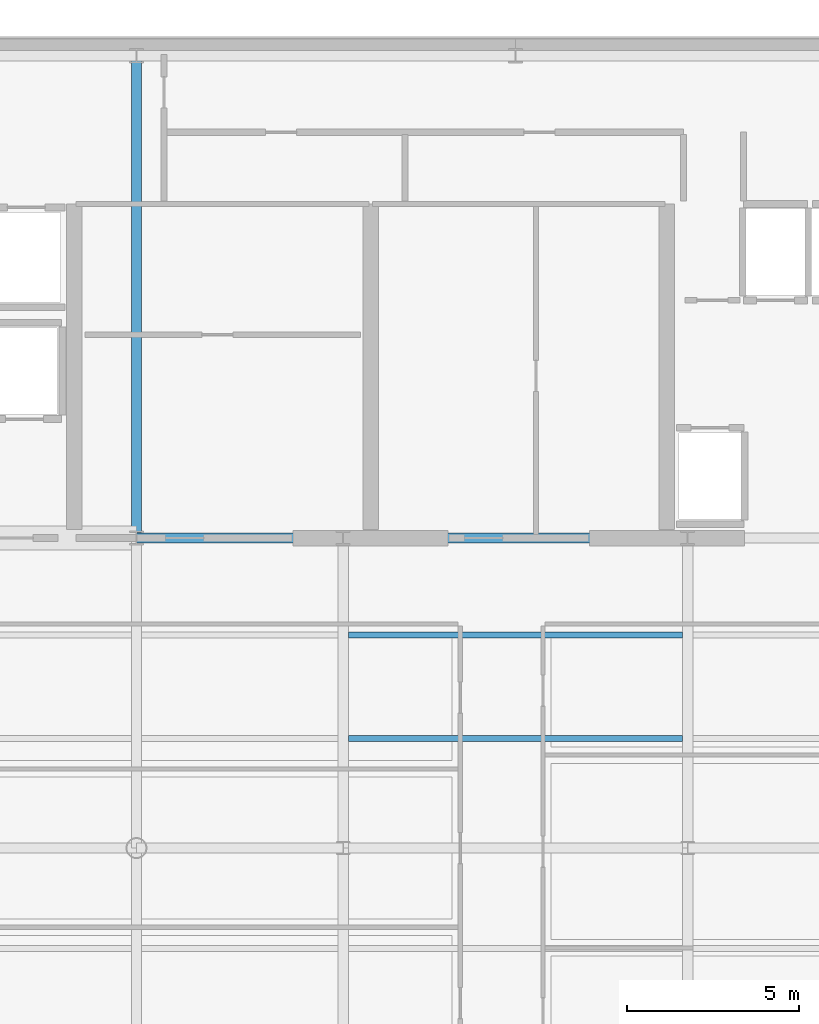
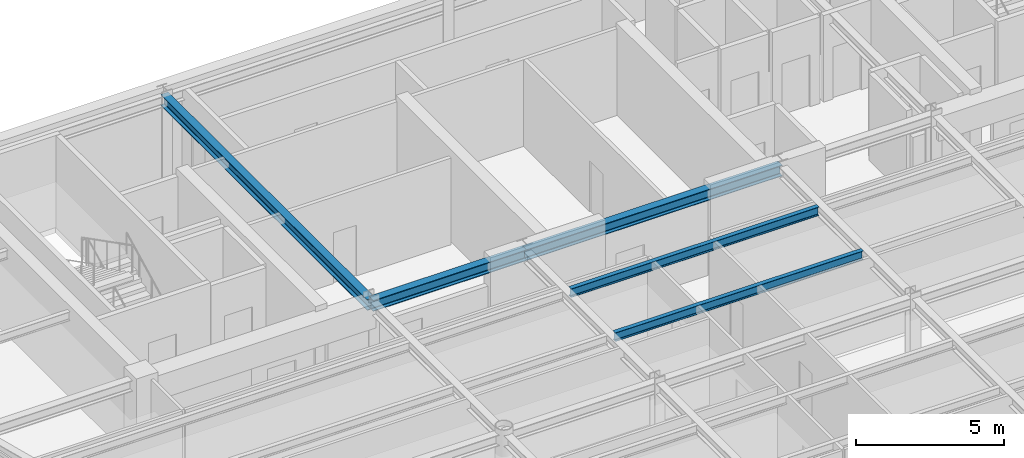
# One storey, part 5 of 20: 5 beams.
"""IFC4 building model written with IfcOpenShell, lengths in metres."""

import ifcopenshell
import ifcopenshell.guid

model = None  # the IFC model being written
_history = None  # IfcOwnerHistory: only IFC2X3 demands one
_inside = {}  # id of a spatial element -> (the spatial element, [elements in it])
_under = {}  # id of a project, library or spatial element -> (it, [spatial elements below it])
_declared = {}  # id of a project -> (the project, [libraries it declares])
_typed = {}  # id of a type object -> (the type object, [elements of that type])
_made_of = {}  # id of a material, layer set ... -> (it, [elements and type objects made of it])


def new_model(schema):
    """Start an empty IFC model of exactly this schema.

    Asked for "IFC4X3", IfcOpenShell would pick the latest addendum, in which some entities
    have other attributes; the version numbers below select the first issue.
    IFC2X3 requires an IfcOwnerHistory on every rooted entity: one is made here for all.
    """
    global model, _history
    if schema == "IFC4X3":
        model = ifcopenshell.file(schema_version=(4, 3, 0, 0))
    else:
        model = ifcopenshell.file(schema=schema)
    _inside.clear()
    _under.clear()
    _declared.clear()
    _typed.clear()
    _made_of.clear()
    _history = None
    if model.schema == "IFC2X3":
        org = make("IfcOrganization", Name="unknown")
        user = make(
            "IfcPersonAndOrganization",
            ThePerson=make("IfcPerson", FamilyName="unknown"),
            TheOrganization=org,
        )
        app = make(
            "IfcApplication",
            ApplicationDeveloper=org,
            Version="unknown",
            ApplicationFullName="unknown",
            ApplicationIdentifier="unknown",
        )
        _history = make(
            "IfcOwnerHistory",
            OwningUser=user,
            OwningApplication=app,
            ChangeAction="ADDED",
            CreationDate=0,
        )
    return model


def make(cls, **values):
    """One entity of the class cls with the attributes given. An attribute that is None is left unset."""
    return model.create_entity(
        cls, **{name: value for name, value in values.items() if value is not None}
    )


def rooted(cls, **values):
    """An entity with a GlobalId (a new one), such as an element, a storey or a relation."""
    return make(cls, GlobalId=ifcopenshell.guid.new(), OwnerHistory=_history, **values)


def si_unit(unit_type, name, prefix=None):
    """IfcSIUnit, for example si_unit("LENGTHUNIT", "METRE", prefix="MILLI")."""
    return make("IfcSIUnit", UnitType=unit_type, Prefix=prefix, Name=name)


def assignment(units):
    """IfcUnitAssignment: the units of a project."""
    return None if units is None else make("IfcUnitAssignment", Units=units)


def point(xyz):
    """IfcCartesianPoint."""
    return None if xyz is None else make("IfcCartesianPoint", Coordinates=xyz)


def direction(xyz):
    """IfcDirection."""
    return None if xyz is None else make("IfcDirection", DirectionRatios=xyz)


def frame(location, z_axis=None, x_axis=None):
    """IfcAxis2Placement3D, a coordinate frame: its origin and axes. An axis left out is left unset."""
    return make(
        "IfcAxis2Placement3D",
        Location=point(location),
        Axis=direction(z_axis),
        RefDirection=direction(x_axis),
    )


def frame_2d(location, x_axis=None):
    """IfcAxis2Placement2D, a coordinate frame in the plane: its origin and x axis."""
    return make(
        "IfcAxis2Placement2D", Location=point(location), RefDirection=direction(x_axis)
    )


def origin():
    """The frame at (0, 0, 0) with its axes left unset."""
    return frame((0.0, 0.0, 0.0))


def origin_2d():
    """The frame at (0, 0) in the plane with its x axis left unset."""
    return frame_2d((0.0, 0.0))


def place(relative_to, where):
    """IfcLocalPlacement: puts the frame where relative to a parent placement (None: the world)."""
    return make(
        "IfcLocalPlacement", PlacementRelTo=relative_to, RelativePlacement=where
    )


def context(
    kind, dimensions, precision=None, world=None, true_north=None, identifier=None
):
    """IfcGeometricRepresentationContext, for example the 3D "Model" context."""
    return make(
        "IfcGeometricRepresentationContext",
        ContextIdentifier=identifier,
        ContextType=kind,
        CoordinateSpaceDimension=dimensions,
        Precision=precision,
        WorldCoordinateSystem=world,
        TrueNorth=true_north,
    )


def subcontext(parent, identifier, kind, view, scale=None):
    """IfcGeometricRepresentationSubContext, for example "Body" below "Model"."""
    return make(
        "IfcGeometricRepresentationSubContext",
        ContextIdentifier=identifier,
        ContextType=kind,
        ParentContext=parent,
        TargetScale=scale,
        TargetView=view,
    )


def project(units=None, contexts=None):
    """IfcProject with its units and contexts."""
    return rooted(
        "IfcProject",
        Name="project",
        RepresentationContexts=contexts,
        UnitsInContext=assignment(units),
    )


def spatial(cls, under=None, at=None, **own):
    """A site, building, storey or space (cls), placed at a placement, below another one or the project."""
    s = rooted(cls, ObjectPlacement=at, **own)
    if under is not None:
        _under.setdefault(under.id(), (under, []))[1].append(s)
    return s


def profile(cls, at=None, kind="AREA", **sizes):
    """A parametric profile (cls). Its sizes go by their IFC names, for example OverallWidth=200.0."""
    return make(cls, ProfileType=kind, Position=at, **sizes)


def i_section(**sizes):
    """IfcIShapeProfileDef."""
    return profile("IfcIShapeProfileDef", **sizes)


def extrude(swept, where, along, depth):
    """IfcExtrudedAreaSolid: the profile swept, set in the frame where, extruded along a direction by depth."""
    return make(
        "IfcExtrudedAreaSolid",
        SweptArea=swept,
        Position=where,
        ExtrudedDirection=direction(along),
        Depth=depth,
    )


def shape(context_of_items, identifier, shape_type, items):
    """IfcShapeRepresentation: the items that make up one representation, for example the "Body"."""
    return make(
        "IfcShapeRepresentation",
        ContextOfItems=context_of_items,
        RepresentationIdentifier=identifier,
        RepresentationType=shape_type,
        Items=items,
    )


def source(mapping_origin, context_of_items, identifier, shape_type, items):
    """IfcRepresentationMap: a shape defined once, which mapped items show again and again."""
    return make(
        "IfcRepresentationMap",
        MappingOrigin=mapping_origin,
        MappedRepresentation=shape(context_of_items, identifier, shape_type, items),
    )


def transform(
    local_origin,
    x_axis=None,
    y_axis=None,
    z_axis=None,
    scale=None,
    scale2=None,
    scale3=None,
    uniform=True,
):
    """IfcCartesianTransformationOperator3D, or its non-uniform kind. x_axis, y_axis, z_axis: its Axis1, 2, 3."""
    if uniform:
        return make(
            "IfcCartesianTransformationOperator3D",
            Axis1=direction(x_axis),
            Axis2=direction(y_axis),
            LocalOrigin=point(local_origin),
            Scale=scale,
            Axis3=direction(z_axis),
        )
    return make(
        "IfcCartesianTransformationOperator3DnonUniform",
        Axis1=direction(x_axis),
        Axis2=direction(y_axis),
        LocalOrigin=point(local_origin),
        Scale=scale,
        Axis3=direction(z_axis),
        Scale2=scale2,
        Scale3=scale3,
    )


def mapped(mapping_source, mapping_target):
    """IfcMappedItem: shows the shape of a source again, moved by a transform."""
    return make(
        "IfcMappedItem", MappingSource=mapping_source, MappingTarget=mapping_target
    )


def material(Name=None, Category=None):
    """IfcMaterial."""
    return make("IfcMaterial", Name=Name, Category=Category)


def material_profile(
    of_material, cross_section, Name=None, Category=None, Priority=None
):
    """IfcMaterialProfile: a cross section and its material."""
    return make(
        "IfcMaterialProfile",
        Name=Name,
        Material=of_material,
        Profile=cross_section,
        Priority=Priority,
        Category=Category,
    )


def profile_set(profiles, Name=None, composite=None):
    """IfcMaterialProfileSet."""
    return make(
        "IfcMaterialProfileSet",
        Name=Name,
        MaterialProfiles=profiles,
        CompositeProfile=composite,
    )


def made_of(thing, what):
    """Note that an element or type object is made of a material, layer set ...; save() writes the relation."""
    if what is not None:
        _made_of.setdefault(what.id(), (what, []))[1].append(thing)
    return thing


def type_object(cls, material=None, **own):
    """A type object (cls), such as IfcWallType, which elements share."""
    return made_of(rooted(cls, **own), material)


def element(
    cls,
    number,
    at=None,
    inside=None,
    cuts=None,
    type_object=None,
    material=None,
    context=None,
    identifier="Body",
    shape_type=None,
    held_by="IfcProductDefinitionShape",
    body=None,
    shapes=None,
    **own,
):
    """One element of the class cls, such as IfcWall. Its Tag is "e" and its number.

    at: its placement. inside: the storey or other place that contains it. cuts: it is an
    opening in that element (IfcRelVoidsElement). A single representation is given by context,
    identifier, shape_type and body (its items); several are given by shapes. held_by: the class
    of the entity that holds the representations. save() writes the other relations.
    """
    e = rooted(cls, Tag="e%d" % number, ObjectPlacement=at, **own)
    if body is not None:
        shapes = [shape(context, identifier, shape_type, body)]
    if shapes is not None:
        e.Representation = make(held_by, Representations=shapes)
    if inside is not None:
        _inside.setdefault(inside.id(), (inside, []))[1].append(e)
    if cuts is not None:
        rooted(
            "IfcRelVoidsElement", RelatingBuildingElement=cuts, RelatedOpeningElement=e
        )
    if type_object is not None:
        _typed.setdefault(type_object.id(), (type_object, []))[1].append(e)
    return made_of(e, material)


def aggregate(whole, parts):
    """IfcRelAggregates: a whole, such as a stair, and the parts it consists of."""
    return rooted("IfcRelAggregates", RelatingObject=whole, RelatedObjects=parts)


def save(model, path):
    """Write the relations noted so far, then the file.

    IfcRelAggregates (storeys below a building ...), IfcRelContainedInSpatialStructure (elements
    in a storey), IfcRelDefinesByType, IfcRelAssociatesMaterial and IfcRelDeclares: one each for
    every whole, place, type object, material and project.
    """
    for whole, parts in _under.values():
        aggregate(whole, parts)
    for where, things in _inside.values():
        rooted(
            "IfcRelContainedInSpatialStructure",
            RelatedElements=things,
            RelatingStructure=where,
        )
    for kind, things in _typed.values():
        rooted("IfcRelDefinesByType", RelatedObjects=things, RelatingType=kind)
    for what, things in _made_of.values():
        rooted("IfcRelAssociatesMaterial", RelatedObjects=things, RelatingMaterial=what)
    for by, libraries in _declared.values():
        rooted("IfcRelDeclares", RelatingContext=by, RelatedDefinitions=libraries)
    model.write(path)


model = new_model("IFC4")

# Units and contexts
model_context = context("Model", 3, precision=1e-05, world=origin(), true_north=direction((0.0, 1.0)))
body_context = subcontext(model_context, "Body", "Model", "MODEL_VIEW")
ifc_project = project(units=[si_unit("LENGTHUNIT", "METRE"), si_unit("AREAUNIT", "SQUARE_METRE"), si_unit("VOLUMEUNIT", "CUBIC_METRE"), si_unit("PLANEANGLEUNIT", "RADIAN"), si_unit("MASSUNIT", "GRAM", prefix="KILO")], contexts=[model_context])

# Site, building, storey
site_placement = place(None, origin())
site = spatial("IfcSite", under=ifc_project, at=site_placement, CompositionType="ELEMENT")
building_placement = place(site_placement, origin())
building = spatial("IfcBuilding", under=site, at=building_placement, Name="Vaeldorn Concourse Tower", CompositionType="ELEMENT")
storey_placement = place(building_placement, frame((0.0, 0.0, 291.60009765625)))
storey = spatial("IfcBuildingStorey", under=building, at=storey_placement, Name="L75", CompositionType="ELEMENT", Elevation=291.60009765625)

# Beams
ifc_material = material(Name="Steel S355", Category="steel")
ifc_material_profile_1 = material_profile(ifc_material, i_section(OverallWidth=0.300048828125, OverallDepth=0.449951171875, WebThickness=0.013916015625, FlangeThickness=0.02587890625, FilletRadius=0.027099609375, at=origin_2d()), Name="HEB 450")
ifc_profile_set_1 = profile_set([ifc_material_profile_1], Name="Steel S355")
beam_type_1 = type_object("IfcBeamType", Name="BM-PG-HEB450", PredefinedType="BEAM", material=ifc_profile_set_1)
shared_shape_1 = source(origin(), body_context, "Body", "SweptSolid", [
    extrude(i_section(OverallWidth=0.300048828125, OverallDepth=0.449951171875, WebThickness=0.013916015625, FlangeThickness=0.02587890625, FilletRadius=0.027099609375, at=origin_2d()), origin(), (0.0, 0.0, 1.0), 6.0),
])
beam_1_placement = place(storey_placement, frame((23.0, 36.5, 3.35498046875), z_axis=(1.0, 0.0, 0.0), x_axis=(0.0, 1.0, 0.0)))
element("IfcBeam", 1, at=beam_1_placement, inside=storey, type_object=beam_type_1, Name="Beam BM-L75-C-FC2-C-FC3", PredefinedType="BEAM", context=body_context, shape_type="MappedRepresentation", body=[
    mapped(shared_shape_1, transform((0.0, 0.0, 0.0), scale=1.0)),
])
shared_shape_2 = source(origin(), body_context, "Body", "SweptSolid", [
    extrude(i_section(OverallWidth=0.300048828125, OverallDepth=0.449951171875, WebThickness=0.013916015625, FlangeThickness=0.02587890625, FilletRadius=0.027099609375, at=origin_2d()), origin(), (0.0, 0.0, 1.0), 10.0),
])
beam_2_placement = place(storey_placement, frame((29.0, 36.5, 3.35498046875), z_axis=(1.0, 0.0, 0.0), x_axis=(0.0, 1.0, 0.0)))
element("IfcBeam", 2, at=beam_2_placement, inside=storey, type_object=beam_type_1, Name="Beam BM-L75-C-FC3-C-FC4", PredefinedType="BEAM", context=body_context, shape_type="MappedRepresentation", body=[
    mapped(shared_shape_2, transform((0.0, 0.0, 0.0), scale=1.0)),
])
ifc_material_profile_2 = material_profile(ifc_material, i_section(OverallWidth=0.169921875, OverallDepth=0.360107421875, WebThickness=0.008056640625, FlangeThickness=0.0126953125, FilletRadius=0.01806640625, at=origin_2d()), Name="IPE 360")
ifc_profile_set_2 = profile_set([ifc_material_profile_2], Name="Steel S355")
beam_type_2 = type_object("IfcBeamType", Name="BM-JS-IPE360", PredefinedType="JOIST", material=ifc_profile_set_2)
shared_shape_3 = source(origin(), body_context, "Body", "SweptSolid", [
    extrude(i_section(OverallWidth=0.169921875, OverallDepth=0.360107421875, WebThickness=0.008056640625, FlangeThickness=0.0126953125, FilletRadius=0.01806640625, at=origin_2d()), origin(), (0.0, 0.0, 1.0), 9.7001953125),
])
for number, where, z_axis, x_axis, name in (
    (3, (29.14990234375, 30.679931640625, 3.39990234375), (1.0, 0.0, 0.0), (0.0, 1.0, 0.0), "Beam JS-L75-C-306"),
    (4, (29.14990234375, 33.679931640625, 3.39990234375), (1.0, 0.0, 0.0), (0.0, 1.0, 0.0), "Beam JS-L75-C-336"),
):
    element("IfcBeam", number, at=place(storey_placement, frame(where, z_axis=z_axis, x_axis=x_axis)), inside=storey, type_object=beam_type_2, Name=name, PredefinedType="JOIST", context=body_context, shape_type="MappedRepresentation", body=[
        mapped(shared_shape_3, transform((0.0, 0.0, 0.0), scale=1.0)),
    ])
shared_shape_4 = source(origin(), body_context, "Body", "SweptSolid", [
    extrude(i_section(OverallWidth=0.300048828125, OverallDepth=0.449951171875, WebThickness=0.013916015625, FlangeThickness=0.02587890625, FilletRadius=0.027099609375, at=origin_2d()), origin(), (0.0, 0.0, 1.0), 14.0),
])
beam_3_placement = place(storey_placement, frame((23.0, 36.5, 3.35498046875), z_axis=(0.0, 1.0, 0.0), x_axis=(-1.0, 0.0, 0.0)))
element("IfcBeam", 5, at=beam_3_placement, inside=storey, type_object=beam_type_1, Name="Beam BM-L75-C-FC2-C-HC2", PredefinedType="BEAM", context=body_context, shape_type="MappedRepresentation", body=[
    mapped(shared_shape_4, transform((0.0, 0.0, 0.0), scale=1.0)),
])

save(model, "model.ifc")
